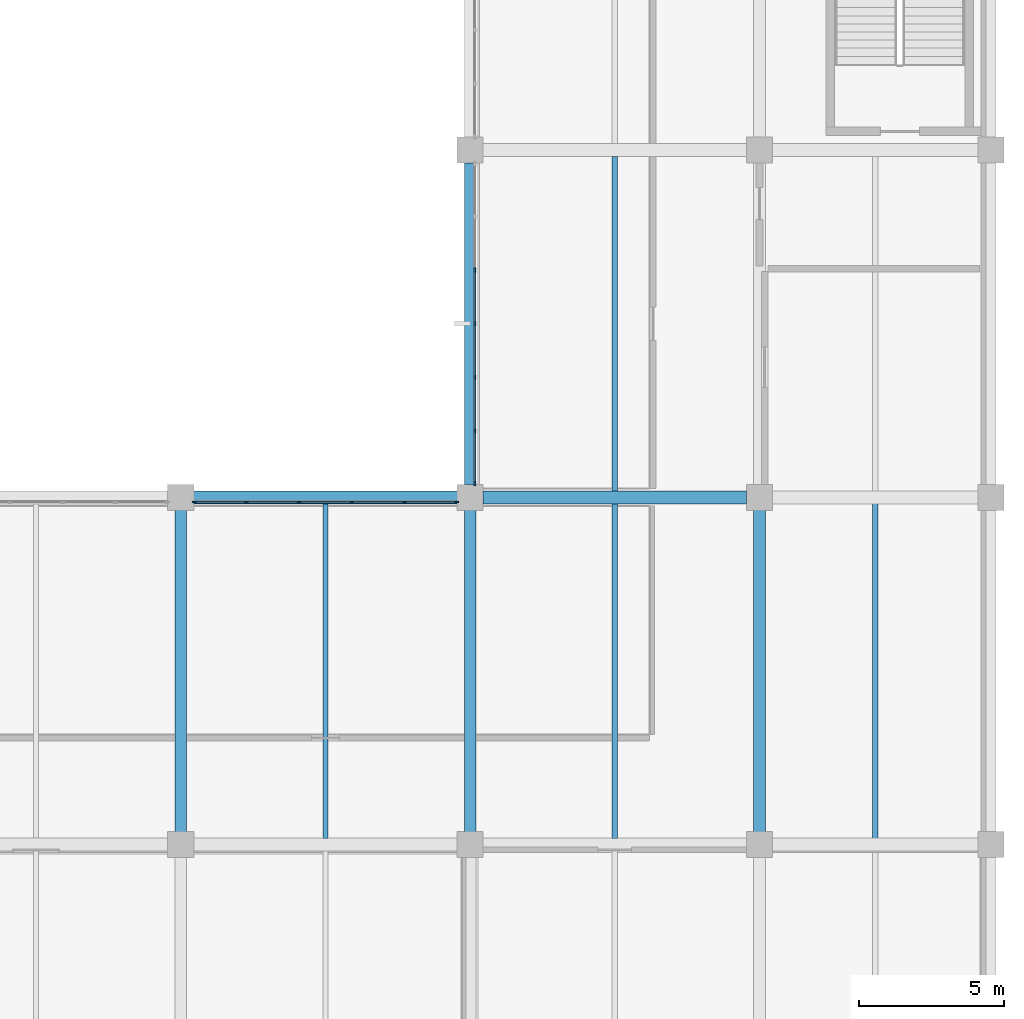
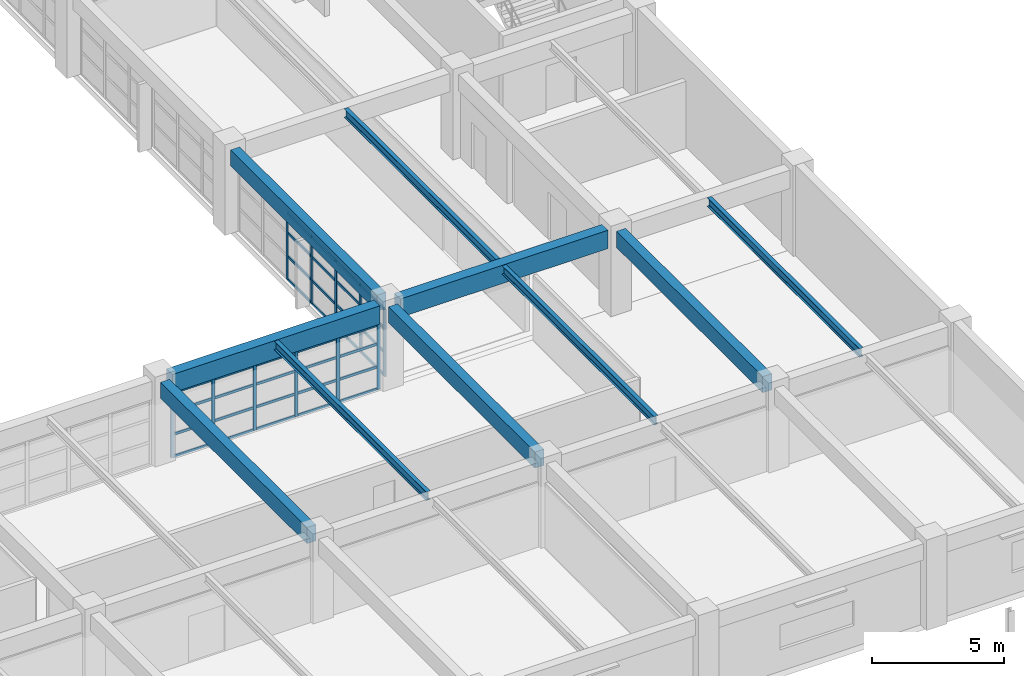
# One storey, part 54 of 100: 47 members, 10 beams, 2 elements without a shape of their own.
"""IFC4 building model written with IfcOpenShell, lengths in metres."""

from ifc_helpers import new_model, si_unit, direction, frame, origin, origin_2d, place, context, subcontext, project, spatial, rectangle, i_section, extrude, material, layer, layer_set, material_profile, profile_set, type_object, element, aggregate, save


model = new_model("IFC4")

# Units and contexts
model_context = context("Model", 3, precision=1e-05, world=origin(), true_north=direction((0.0, 1.0)))
body_context = subcontext(model_context, "Body", "Model", "MODEL_VIEW")
ifc_project = project(units=[si_unit("LENGTHUNIT", "METRE"), si_unit("AREAUNIT", "SQUARE_METRE"), si_unit("VOLUMEUNIT", "CUBIC_METRE"), si_unit("PLANEANGLEUNIT", "RADIAN"), si_unit("MASSUNIT", "GRAM", prefix="KILO")], contexts=[model_context])

# Site, building, storey
site_placement = place(None, origin())
site = spatial("IfcSite", under=ifc_project, at=site_placement, CompositionType="ELEMENT")
building_placement = place(site_placement, origin())
building = spatial("IfcBuilding", under=site, at=building_placement, Name="Kivolera Central Railway Station", CompositionType="ELEMENT")
storey_placement = place(building_placement, frame((0.0, 0.0, 5.39990234375)))
storey = spatial("IfcBuildingStorey", under=building, at=storey_placement, Name="L01", CompositionType="ELEMENT", Elevation=5.39990234375)

# Beams
ifc_material_1 = material(Name="Steel S355", Category="steel")
ifc_material_profile_1 = material_profile(ifc_material_1, i_section(OverallWidth=0.179931640625, OverallDepth=0.39990234375, WebThickness=0.008544921875, FlangeThickness=0.013427734375, FilletRadius=0.02099609375, at=origin_2d()), Name="IPE 400")
ifc_profile_set_1 = profile_set([ifc_material_profile_1], Name="Steel S355")
beam_type_1 = type_object("IfcBeamType", Name="BM-JST-IPE400", PredefinedType="JOIST", material=ifc_profile_set_1)
for number, where, z_axis, x_axis, name in (
    (1, (173.0, 66.217041015625, 3.668212890625), (0.0, 1.0, 0.0), (-1.0, 0.0, 0.0), "L01 Floor Joist 17-18/F-G"),
    (2, (183.0, 66.217041015625, 3.668212890625), (0.0, 1.0, 0.0), (-1.0, 0.0, 0.0), "L01 Floor Joist 18-19/F-G"),
    (3, (183.0, 78.217041015625, 3.668212890625), (0.0, 1.0, 0.0), (-1.0, 0.0, 0.0), "L01 Floor Joist 18-19/G-H"),
    (4, (192.0, 66.217041015625, 3.668212890625), (0.0, 1.0, 0.0), (-1.0, 0.0, 0.0), "L01 Floor Joist 19-20/F-G"),
):
    element("IfcBeam", number, at=place(storey_placement, frame(where, z_axis=z_axis, x_axis=x_axis)), inside=storey, type_object=beam_type_1, Name=name, PredefinedType="JOIST", context=body_context, shape_type="SweptSolid", body=[
        extrude(i_section(OverallWidth=0.179931640625, OverallDepth=0.39990234375, WebThickness=0.008544921875, FlangeThickness=0.013427734375, FilletRadius=0.02099609375, at=origin_2d()), origin(), (0.0, 0.0, 1.0), 11.56591796875),
    ])
ifc_material_2 = material(Name="Concrete C40/50", Category="concrete")
ifc_material_profile_2 = material_profile(ifc_material_2, rectangle(XDim=0.39990234375, YDim=0.75, at=origin_2d()), Name="RC 400x750")
ifc_profile_set_2 = profile_set([ifc_material_profile_2], Name="Concrete C40/50")
beam_type_2 = type_object("IfcBeamType", Name="BM-RC-400x750", PredefinedType="BEAM", material=ifc_profile_set_2)
for number, where, z_axis, x_axis, name in (
    (5, (168.0, 66.44189453125, 3.505126953125), (0.0, 1.0, 0.0), (-1.0, 0.0, 0.0), "L01 Wing Y-Beam 17:F-G"),
    (6, (178.0, 66.44189453125, 3.505126953125), (0.0, 1.0, 0.0), (-1.0, 0.0, 0.0), "L01 Wing Y-Beam 18:F-G"),
    (7, (178.0, 78.44189453125, 3.505126953125), (0.0, 1.0, 0.0), (-1.0, 0.0, 0.0), "L01 Wing Y-Beam 18:G-H"),
    (8, (188.0, 66.44189453125, 3.505126953125), (0.0, 1.0, 0.0), (-1.0, 0.0, 0.0), "L01 Wing Y-Beam 19:F-G"),
):
    element("IfcBeam", number, at=place(storey_placement, frame(where, z_axis=z_axis, x_axis=x_axis)), inside=storey, type_object=beam_type_2, Name=name, PredefinedType="BEAM", context=body_context, shape_type="SweptSolid", body=[
        extrude(rectangle(XDim=0.39990234375, YDim=0.75, at=origin_2d()), origin(), (0.0, 0.0, 1.0), 11.1162109375),
    ])
ifc_material_profile_3 = material_profile(ifc_material_2, rectangle(XDim=0.449951171875, YDim=0.85009765625, at=origin_2d()), Name="RC 450x850")
ifc_profile_set_3 = profile_set([ifc_material_profile_3], Name="Concrete C40/50")
beam_type_3 = type_object("IfcBeamType", Name="BM-RC-450x850", PredefinedType="BEAM", material=ifc_profile_set_3)
for number, where, z_axis, x_axis, name in (
    (9, (168.44189453125, 78.0, 3.455078125), (1.0, 0.0, 0.0), (0.0, 1.0, 0.0), "L01 Wing X-Beam G:17-18"),
    (10, (178.44189453125, 78.0, 3.455078125), (1.0, 0.0, 0.0), (0.0, 1.0, 0.0), "L01 Wing X-Beam G:18-19"),
):
    element("IfcBeam", number, at=place(storey_placement, frame(where, z_axis=z_axis, x_axis=x_axis)), inside=storey, type_object=beam_type_3, Name=name, PredefinedType="BEAM", context=body_context, shape_type="SweptSolid", body=[
        extrude(rectangle(XDim=0.449951171875, YDim=0.85009765625, at=origin_2d()), origin(), (0.0, 0.0, 1.0), 9.1162109375),
    ])

# Curtain wall, members
ifc_material_3 = material(Name="Anodised aluminium", Category="aluminium")
ifc_layer_1 = layer(ifc_material_3, 0.179931640625, Name="Anodised aluminium")
ifc_layer_set_1 = layer_set([ifc_layer_1], Name="Anodised aluminium")
curtain_wall_type_1 = type_object("IfcCurtainWallType", Name="CW-SYS-25", PredefinedType="NOTDEFINED", material=ifc_layer_set_1)
curtain_wall_1_placement = place(storey_placement, origin())
curtain_wall_1 = element("IfcCurtainWall", 11, at=curtain_wall_1_placement, inside=storey, type_object=curtain_wall_type_1, Name="L01 Curtain Wall CW-L01-CRTE-G", PredefinedType="NOTDEFINED")
ifc_material_profile_4 = material_profile(ifc_material_3, rectangle(XDim=0.06005859375, YDim=0.14990234375, at=origin_2d()), Name="ALU MULL 60x150")
ifc_profile_set_4 = profile_set([ifc_material_profile_4], Name="Anodised aluminium")
member_type_1 = type_object("IfcMemberType", Name="CWM-MUL-2", PredefinedType="MULLION", material=ifc_profile_set_4)
member_1_placement = place(storey_placement, frame((178.159912109375, 78.47509765625, -0.0048828125), z_axis=(0.0, 0.0, 1.0), x_axis=(-1.0, 0.0, 0.0)))
member_1 = element("IfcMember", 12, at=member_1_placement, type_object=member_type_1, Name="CW-25 mullion 1", PredefinedType="MULLION", context=body_context, shape_type="SweptSolid", body=[
    extrude(rectangle(XDim=0.06005859375, YDim=0.14990234375, at=origin_2d()), origin(), (0.0, 0.0, 1.0), 3.123046875),
])
member_2_placement = place(storey_placement, frame((178.159912109375, 80.296630859375, -0.0048828125), z_axis=(0.0, 0.0, 1.0), x_axis=(-1.0, 0.0, 0.0)))
member_2 = element("IfcMember", 13, at=member_2_placement, type_object=member_type_1, Name="CW-25 mullion 2", PredefinedType="MULLION", context=body_context, shape_type="SweptSolid", body=[
    extrude(rectangle(XDim=0.06005859375, YDim=0.14990234375, at=origin_2d()), origin(), (0.0, 0.0, 1.0), 3.123046875),
])
member_3_placement = place(storey_placement, frame((178.159912109375, 82.1484375, -0.0048828125), z_axis=(0.0, 0.0, 1.0), x_axis=(-1.0, 0.0, 0.0)))
member_3 = element("IfcMember", 14, at=member_3_placement, type_object=member_type_1, Name="CW-25 mullion 3", PredefinedType="MULLION", context=body_context, shape_type="SweptSolid", body=[
    extrude(rectangle(XDim=0.06005859375, YDim=0.14990234375, at=origin_2d()), origin(), (0.0, 0.0, 1.0), 3.123046875),
])
member_4_placement = place(storey_placement, frame((178.159912109375, 84.0, -0.0048828125), z_axis=(0.0, 0.0, 1.0), x_axis=(-1.0, 0.0, 0.0)))
member_4 = element("IfcMember", 15, at=member_4_placement, type_object=member_type_1, Name="CW-25 mullion 4", PredefinedType="MULLION", context=body_context, shape_type="SweptSolid", body=[
    extrude(rectangle(XDim=0.06005859375, YDim=0.14990234375, at=origin_2d()), origin(), (0.0, 0.0, 1.0), 3.123046875),
])
member_5_placement = place(storey_placement, frame((178.159912109375, 85.8515625, -0.0048828125), z_axis=(0.0, 0.0, 1.0), x_axis=(-1.0, 0.0, 0.0)))
member_5 = element("IfcMember", 16, at=member_5_placement, type_object=member_type_1, Name="CW-25 mullion 5", PredefinedType="MULLION", context=body_context, shape_type="SweptSolid", body=[
    extrude(rectangle(XDim=0.06005859375, YDim=0.14990234375, at=origin_2d()), origin(), (0.0, 0.0, 1.0), 3.123046875),
])

ifc_layer_2 = layer(ifc_material_3, 0.179931640625, Name="Anodised aluminium")
ifc_layer_set_2 = layer_set([ifc_layer_2], Name="Anodised aluminium")
curtain_wall_type_2 = type_object("IfcCurtainWallType", Name="CW-SYS-24", PredefinedType="NOTDEFINED", material=ifc_layer_set_2)
curtain_wall_2_placement = place(storey_placement, origin())
curtain_wall_2 = element("IfcCurtainWall", 17, at=curtain_wall_2_placement, inside=storey, type_object=curtain_wall_type_2, Name="L01 Curtain Wall CW-L01-CRTS-168", PredefinedType="NOTDEFINED")
member_6_placement = place(storey_placement, frame((168.47509765625, 77.840087890625, -0.0048828125), z_axis=(0.0, 0.0, 1.0), x_axis=(0.0, 1.0, 0.0)))
member_6 = element("IfcMember", 18, at=member_6_placement, type_object=member_type_1, Name="CW-24 mullion 1", PredefinedType="MULLION", context=body_context, shape_type="SweptSolid", body=[
    extrude(rectangle(XDim=0.06005859375, YDim=0.14990234375, at=origin_2d()), origin(), (0.0, 0.0, 1.0), 3.02294921875),
])
member_7_placement = place(storey_placement, frame((170.26708984375, 77.840087890625, -0.0048828125), z_axis=(0.0, 0.0, 1.0), x_axis=(0.0, 1.0, 0.0)))
member_7 = element("IfcMember", 19, at=member_7_placement, type_object=member_type_1, Name="CW-24 mullion 2", PredefinedType="MULLION", context=body_context, shape_type="SweptSolid", body=[
    extrude(rectangle(XDim=0.06005859375, YDim=0.14990234375, at=origin_2d()), origin(), (0.0, 0.0, 1.0), 3.02294921875),
])
member_8_placement = place(storey_placement, frame((172.089111328125, 77.840087890625, -0.0048828125), z_axis=(0.0, 0.0, 1.0), x_axis=(0.0, 1.0, 0.0)))
member_8 = element("IfcMember", 20, at=member_8_placement, type_object=member_type_1, Name="CW-24 mullion 3", PredefinedType="MULLION", context=body_context, shape_type="SweptSolid", body=[
    extrude(rectangle(XDim=0.06005859375, YDim=0.14990234375, at=origin_2d()), origin(), (0.0, 0.0, 1.0), 3.02294921875),
])
member_9_placement = place(storey_placement, frame((173.910888671875, 77.840087890625, -0.0048828125), z_axis=(0.0, 0.0, 1.0), x_axis=(0.0, 1.0, 0.0)))
member_9 = element("IfcMember", 21, at=member_9_placement, type_object=member_type_1, Name="CW-24 mullion 4", PredefinedType="MULLION", context=body_context, shape_type="SweptSolid", body=[
    extrude(rectangle(XDim=0.06005859375, YDim=0.14990234375, at=origin_2d()), origin(), (0.0, 0.0, 1.0), 3.02294921875),
])
member_10_placement = place(storey_placement, frame((175.73291015625, 77.840087890625, -0.0048828125), z_axis=(0.0, 0.0, 1.0), x_axis=(0.0, 1.0, 0.0)))
member_10 = element("IfcMember", 22, at=member_10_placement, type_object=member_type_1, Name="CW-24 mullion 5", PredefinedType="MULLION", context=body_context, shape_type="SweptSolid", body=[
    extrude(rectangle(XDim=0.06005859375, YDim=0.14990234375, at=origin_2d()), origin(), (0.0, 0.0, 1.0), 3.02294921875),
])
member_11_placement = place(storey_placement, frame((177.52490234375, 77.840087890625, -0.0048828125), z_axis=(0.0, 0.0, 1.0), x_axis=(0.0, 1.0, 0.0)))
member_11 = element("IfcMember", 23, at=member_11_placement, type_object=member_type_1, Name="CW-24 mullion 6", PredefinedType="MULLION", context=body_context, shape_type="SweptSolid", body=[
    extrude(rectangle(XDim=0.06005859375, YDim=0.14990234375, at=origin_2d()), origin(), (0.0, 0.0, 1.0), 3.02294921875),
])

# Member
ifc_material_profile_5 = material_profile(ifc_material_3, rectangle(XDim=0.06005859375, YDim=0.1201171875, at=origin_2d()), Name="ALU TRAN 60x120")
ifc_profile_set_5 = profile_set([ifc_material_profile_5], Name="Anodised aluminium")
member_type_2 = type_object("IfcMemberType", Name="CWM-TRN-2", PredefinedType="USERDEFINED", material=ifc_profile_set_5)
member_12_placement = place(storey_placement, frame((178.159912109375, 78.5048828125, 0.030029296875), z_axis=(0.0, 1.0, 0.0), x_axis=(-1.0, 0.0, 0.0)))
member_12 = element("IfcMember", 24, at=member_12_placement, type_object=member_type_2, Name="CW-25 transom 1.1", ObjectType="TRANSOM", PredefinedType="USERDEFINED", context=body_context, shape_type="SweptSolid", body=[
    extrude(rectangle(XDim=0.06005859375, YDim=0.1201171875, at=origin_2d()), origin(), (0.0, 0.0, 1.0), 1.76171875),
])

member_13_placement = place(storey_placement, frame((178.159912109375, 78.5048828125, 1.09130859375), z_axis=(0.0, 1.0, 0.0), x_axis=(-1.0, 0.0, 0.0)))
member_13 = element("IfcMember", 25, at=member_13_placement, type_object=member_type_2, Name="CW-25 transom 1.2", ObjectType="TRANSOM", PredefinedType="USERDEFINED", context=body_context, shape_type="SweptSolid", body=[
    extrude(rectangle(XDim=0.06005859375, YDim=0.1201171875, at=origin_2d()), origin(), (0.0, 0.0, 1.0), 1.76171875),
])

member_14_placement = place(storey_placement, frame((178.159912109375, 78.5048828125, 2.1826171875), z_axis=(0.0, 1.0, 0.0), x_axis=(-1.0, 0.0, 0.0)))
member_14 = element("IfcMember", 26, at=member_14_placement, type_object=member_type_2, Name="CW-25 transom 1.3", ObjectType="TRANSOM", PredefinedType="USERDEFINED", context=body_context, shape_type="SweptSolid", body=[
    extrude(rectangle(XDim=0.06005859375, YDim=0.1201171875, at=origin_2d()), origin(), (0.0, 0.0, 1.0), 1.76171875),
])

member_15_placement = place(storey_placement, frame((178.159912109375, 78.5048828125, 3.088134765625), z_axis=(0.0, 1.0, 0.0), x_axis=(-1.0, 0.0, 0.0)))
member_15 = element("IfcMember", 27, at=member_15_placement, type_object=member_type_2, Name="CW-25 transom 1.4", ObjectType="TRANSOM", PredefinedType="USERDEFINED", context=body_context, shape_type="SweptSolid", body=[
    extrude(rectangle(XDim=0.06005859375, YDim=0.1201171875, at=origin_2d()), origin(), (0.0, 0.0, 1.0), 1.76171875),
])

member_16_placement = place(storey_placement, frame((178.159912109375, 80.32666015625, 0.030029296875), z_axis=(0.0, 1.0, 0.0), x_axis=(-1.0, 0.0, 0.0)))
member_16 = element("IfcMember", 28, at=member_16_placement, type_object=member_type_2, Name="CW-25 transom 2.1", ObjectType="TRANSOM", PredefinedType="USERDEFINED", context=body_context, shape_type="SweptSolid", body=[
    extrude(rectangle(XDim=0.06005859375, YDim=0.1201171875, at=origin_2d()), origin(), (0.0, 0.0, 1.0), 1.791748046875),
])

member_17_placement = place(storey_placement, frame((178.159912109375, 80.32666015625, 1.09130859375), z_axis=(0.0, 1.0, 0.0), x_axis=(-1.0, 0.0, 0.0)))
member_17 = element("IfcMember", 29, at=member_17_placement, type_object=member_type_2, Name="CW-25 transom 2.2", ObjectType="TRANSOM", PredefinedType="USERDEFINED", context=body_context, shape_type="SweptSolid", body=[
    extrude(rectangle(XDim=0.06005859375, YDim=0.1201171875, at=origin_2d()), origin(), (0.0, 0.0, 1.0), 1.791748046875),
])

member_18_placement = place(storey_placement, frame((178.159912109375, 80.32666015625, 2.1826171875), z_axis=(0.0, 1.0, 0.0), x_axis=(-1.0, 0.0, 0.0)))
member_18 = element("IfcMember", 30, at=member_18_placement, type_object=member_type_2, Name="CW-25 transom 2.3", ObjectType="TRANSOM", PredefinedType="USERDEFINED", context=body_context, shape_type="SweptSolid", body=[
    extrude(rectangle(XDim=0.06005859375, YDim=0.1201171875, at=origin_2d()), origin(), (0.0, 0.0, 1.0), 1.791748046875),
])

member_19_placement = place(storey_placement, frame((178.159912109375, 80.32666015625, 3.088134765625), z_axis=(0.0, 1.0, 0.0), x_axis=(-1.0, 0.0, 0.0)))
member_19 = element("IfcMember", 31, at=member_19_placement, type_object=member_type_2, Name="CW-25 transom 2.4", ObjectType="TRANSOM", PredefinedType="USERDEFINED", context=body_context, shape_type="SweptSolid", body=[
    extrude(rectangle(XDim=0.06005859375, YDim=0.1201171875, at=origin_2d()), origin(), (0.0, 0.0, 1.0), 1.791748046875),
])

member_20_placement = place(storey_placement, frame((178.159912109375, 82.17822265625, 0.030029296875), z_axis=(0.0, 1.0, 0.0), x_axis=(-1.0, 0.0, 0.0)))
member_20 = element("IfcMember", 32, at=member_20_placement, type_object=member_type_2, Name="CW-25 transom 3.1", ObjectType="TRANSOM", PredefinedType="USERDEFINED", context=body_context, shape_type="SweptSolid", body=[
    extrude(rectangle(XDim=0.06005859375, YDim=0.1201171875, at=origin_2d()), origin(), (0.0, 0.0, 1.0), 1.791748046875),
])

member_21_placement = place(storey_placement, frame((178.159912109375, 82.17822265625, 1.09130859375), z_axis=(0.0, 1.0, 0.0), x_axis=(-1.0, 0.0, 0.0)))
member_21 = element("IfcMember", 33, at=member_21_placement, type_object=member_type_2, Name="CW-25 transom 3.2", ObjectType="TRANSOM", PredefinedType="USERDEFINED", context=body_context, shape_type="SweptSolid", body=[
    extrude(rectangle(XDim=0.06005859375, YDim=0.1201171875, at=origin_2d()), origin(), (0.0, 0.0, 1.0), 1.791748046875),
])

member_22_placement = place(storey_placement, frame((178.159912109375, 82.17822265625, 2.1826171875), z_axis=(0.0, 1.0, 0.0), x_axis=(-1.0, 0.0, 0.0)))
member_22 = element("IfcMember", 34, at=member_22_placement, type_object=member_type_2, Name="CW-25 transom 3.3", ObjectType="TRANSOM", PredefinedType="USERDEFINED", context=body_context, shape_type="SweptSolid", body=[
    extrude(rectangle(XDim=0.06005859375, YDim=0.1201171875, at=origin_2d()), origin(), (0.0, 0.0, 1.0), 1.791748046875),
])

member_23_placement = place(storey_placement, frame((178.159912109375, 82.17822265625, 3.088134765625), z_axis=(0.0, 1.0, 0.0), x_axis=(-1.0, 0.0, 0.0)))
member_23 = element("IfcMember", 35, at=member_23_placement, type_object=member_type_2, Name="CW-25 transom 3.4", ObjectType="TRANSOM", PredefinedType="USERDEFINED", context=body_context, shape_type="SweptSolid", body=[
    extrude(rectangle(XDim=0.06005859375, YDim=0.1201171875, at=origin_2d()), origin(), (0.0, 0.0, 1.0), 1.791748046875),
])

member_24_placement = place(storey_placement, frame((178.159912109375, 84.030029296875, 0.030029296875), z_axis=(0.0, 1.0, 0.0), x_axis=(-1.0, 0.0, 0.0)))
member_24 = element("IfcMember", 36, at=member_24_placement, type_object=member_type_2, Name="CW-25 transom 4.1", ObjectType="TRANSOM", PredefinedType="USERDEFINED", context=body_context, shape_type="SweptSolid", body=[
    extrude(rectangle(XDim=0.06005859375, YDim=0.1201171875, at=origin_2d()), origin(), (0.0, 0.0, 1.0), 1.791748046875),
])

member_25_placement = place(storey_placement, frame((178.159912109375, 84.030029296875, 1.09130859375), z_axis=(0.0, 1.0, 0.0), x_axis=(-1.0, 0.0, 0.0)))
member_25 = element("IfcMember", 37, at=member_25_placement, type_object=member_type_2, Name="CW-25 transom 4.2", ObjectType="TRANSOM", PredefinedType="USERDEFINED", context=body_context, shape_type="SweptSolid", body=[
    extrude(rectangle(XDim=0.06005859375, YDim=0.1201171875, at=origin_2d()), origin(), (0.0, 0.0, 1.0), 1.791748046875),
])

member_26_placement = place(storey_placement, frame((178.159912109375, 84.030029296875, 2.1826171875), z_axis=(0.0, 1.0, 0.0), x_axis=(-1.0, 0.0, 0.0)))
member_26 = element("IfcMember", 38, at=member_26_placement, type_object=member_type_2, Name="CW-25 transom 4.3", ObjectType="TRANSOM", PredefinedType="USERDEFINED", context=body_context, shape_type="SweptSolid", body=[
    extrude(rectangle(XDim=0.06005859375, YDim=0.1201171875, at=origin_2d()), origin(), (0.0, 0.0, 1.0), 1.791748046875),
])

member_27_placement = place(storey_placement, frame((178.159912109375, 84.030029296875, 3.088134765625), z_axis=(0.0, 1.0, 0.0), x_axis=(-1.0, 0.0, 0.0)))
member_27 = element("IfcMember", 39, at=member_27_placement, type_object=member_type_2, Name="CW-25 transom 4.4", ObjectType="TRANSOM", PredefinedType="USERDEFINED", context=body_context, shape_type="SweptSolid", body=[
    extrude(rectangle(XDim=0.06005859375, YDim=0.1201171875, at=origin_2d()), origin(), (0.0, 0.0, 1.0), 1.791748046875),
])

aggregate(curtain_wall_1, [member_1, member_2, member_3, member_4, member_5, member_12, member_13, member_14, member_15, member_16, member_17, member_18, member_19, member_20, member_21, member_22, member_23, member_24, member_25, member_26, member_27])

member_28_placement = place(storey_placement, frame((168.5048828125, 77.840087890625, 0.030029296875), z_axis=(1.0, 0.0, 0.0), x_axis=(0.0, 1.0, 0.0)))
member_28 = element("IfcMember", 40, at=member_28_placement, type_object=member_type_2, Name="CW-24 transom 1.1", ObjectType="TRANSOM", PredefinedType="USERDEFINED", context=body_context, shape_type="SweptSolid", body=[
    extrude(rectangle(XDim=0.06005859375, YDim=0.1201171875, at=origin_2d()), origin(), (0.0, 0.0, 1.0), 1.732177734375),
])

member_29_placement = place(storey_placement, frame((168.5048828125, 77.840087890625, 1.056396484375), z_axis=(1.0, 0.0, 0.0), x_axis=(0.0, 1.0, 0.0)))
member_29 = element("IfcMember", 41, at=member_29_placement, type_object=member_type_2, Name="CW-24 transom 1.2", ObjectType="TRANSOM", PredefinedType="USERDEFINED", context=body_context, shape_type="SweptSolid", body=[
    extrude(rectangle(XDim=0.06005859375, YDim=0.1201171875, at=origin_2d()), origin(), (0.0, 0.0, 1.0), 1.732177734375),
])

member_30_placement = place(storey_placement, frame((168.5048828125, 77.840087890625, 2.11279296875), z_axis=(1.0, 0.0, 0.0), x_axis=(0.0, 1.0, 0.0)))
member_30 = element("IfcMember", 42, at=member_30_placement, type_object=member_type_2, Name="CW-24 transom 1.3", ObjectType="TRANSOM", PredefinedType="USERDEFINED", context=body_context, shape_type="SweptSolid", body=[
    extrude(rectangle(XDim=0.06005859375, YDim=0.1201171875, at=origin_2d()), origin(), (0.0, 0.0, 1.0), 1.732177734375),
])

member_31_placement = place(storey_placement, frame((168.5048828125, 77.840087890625, 2.988037109375), z_axis=(1.0, 0.0, 0.0), x_axis=(0.0, 1.0, 0.0)))
member_31 = element("IfcMember", 43, at=member_31_placement, type_object=member_type_2, Name="CW-24 transom 1.4", ObjectType="TRANSOM", PredefinedType="USERDEFINED", context=body_context, shape_type="SweptSolid", body=[
    extrude(rectangle(XDim=0.06005859375, YDim=0.1201171875, at=origin_2d()), origin(), (0.0, 0.0, 1.0), 1.732177734375),
])

member_32_placement = place(storey_placement, frame((170.297119140625, 77.840087890625, 0.030029296875), z_axis=(1.0, 0.0, 0.0), x_axis=(0.0, 1.0, 0.0)))
member_32 = element("IfcMember", 44, at=member_32_placement, type_object=member_type_2, Name="CW-24 transom 2.1", ObjectType="TRANSOM", PredefinedType="USERDEFINED", context=body_context, shape_type="SweptSolid", body=[
    extrude(rectangle(XDim=0.06005859375, YDim=0.1201171875, at=origin_2d()), origin(), (0.0, 0.0, 1.0), 1.761962890625),
])

member_33_placement = place(storey_placement, frame((170.297119140625, 77.840087890625, 1.056396484375), z_axis=(1.0, 0.0, 0.0), x_axis=(0.0, 1.0, 0.0)))
member_33 = element("IfcMember", 45, at=member_33_placement, type_object=member_type_2, Name="CW-24 transom 2.2", ObjectType="TRANSOM", PredefinedType="USERDEFINED", context=body_context, shape_type="SweptSolid", body=[
    extrude(rectangle(XDim=0.06005859375, YDim=0.1201171875, at=origin_2d()), origin(), (0.0, 0.0, 1.0), 1.761962890625),
])

member_34_placement = place(storey_placement, frame((170.297119140625, 77.840087890625, 2.11279296875), z_axis=(1.0, 0.0, 0.0), x_axis=(0.0, 1.0, 0.0)))
member_34 = element("IfcMember", 46, at=member_34_placement, type_object=member_type_2, Name="CW-24 transom 2.3", ObjectType="TRANSOM", PredefinedType="USERDEFINED", context=body_context, shape_type="SweptSolid", body=[
    extrude(rectangle(XDim=0.06005859375, YDim=0.1201171875, at=origin_2d()), origin(), (0.0, 0.0, 1.0), 1.761962890625),
])

member_35_placement = place(storey_placement, frame((170.297119140625, 77.840087890625, 2.988037109375), z_axis=(1.0, 0.0, 0.0), x_axis=(0.0, 1.0, 0.0)))
member_35 = element("IfcMember", 47, at=member_35_placement, type_object=member_type_2, Name="CW-24 transom 2.4", ObjectType="TRANSOM", PredefinedType="USERDEFINED", context=body_context, shape_type="SweptSolid", body=[
    extrude(rectangle(XDim=0.06005859375, YDim=0.1201171875, at=origin_2d()), origin(), (0.0, 0.0, 1.0), 1.761962890625),
])

member_36_placement = place(storey_placement, frame((172.118896484375, 77.840087890625, 0.030029296875), z_axis=(1.0, 0.0, 0.0), x_axis=(0.0, 1.0, 0.0)))
member_36 = element("IfcMember", 48, at=member_36_placement, type_object=member_type_2, Name="CW-24 transom 3.1", ObjectType="TRANSOM", PredefinedType="USERDEFINED", context=body_context, shape_type="SweptSolid", body=[
    extrude(rectangle(XDim=0.06005859375, YDim=0.1201171875, at=origin_2d()), origin(), (0.0, 0.0, 1.0), 1.76220703125),
])

member_37_placement = place(storey_placement, frame((172.118896484375, 77.840087890625, 1.056396484375), z_axis=(1.0, 0.0, 0.0), x_axis=(0.0, 1.0, 0.0)))
member_37 = element("IfcMember", 49, at=member_37_placement, type_object=member_type_2, Name="CW-24 transom 3.2", ObjectType="TRANSOM", PredefinedType="USERDEFINED", context=body_context, shape_type="SweptSolid", body=[
    extrude(rectangle(XDim=0.06005859375, YDim=0.1201171875, at=origin_2d()), origin(), (0.0, 0.0, 1.0), 1.76220703125),
])

member_38_placement = place(storey_placement, frame((172.118896484375, 77.840087890625, 2.11279296875), z_axis=(1.0, 0.0, 0.0), x_axis=(0.0, 1.0, 0.0)))
member_38 = element("IfcMember", 50, at=member_38_placement, type_object=member_type_2, Name="CW-24 transom 3.3", ObjectType="TRANSOM", PredefinedType="USERDEFINED", context=body_context, shape_type="SweptSolid", body=[
    extrude(rectangle(XDim=0.06005859375, YDim=0.1201171875, at=origin_2d()), origin(), (0.0, 0.0, 1.0), 1.76220703125),
])

member_39_placement = place(storey_placement, frame((172.118896484375, 77.840087890625, 2.988037109375), z_axis=(1.0, 0.0, 0.0), x_axis=(0.0, 1.0, 0.0)))
member_39 = element("IfcMember", 51, at=member_39_placement, type_object=member_type_2, Name="CW-24 transom 3.4", ObjectType="TRANSOM", PredefinedType="USERDEFINED", context=body_context, shape_type="SweptSolid", body=[
    extrude(rectangle(XDim=0.06005859375, YDim=0.1201171875, at=origin_2d()), origin(), (0.0, 0.0, 1.0), 1.76220703125),
])

member_40_placement = place(storey_placement, frame((173.94091796875, 77.840087890625, 0.030029296875), z_axis=(1.0, 0.0, 0.0), x_axis=(0.0, 1.0, 0.0)))
member_40 = element("IfcMember", 52, at=member_40_placement, type_object=member_type_2, Name="CW-24 transom 4.1", ObjectType="TRANSOM", PredefinedType="USERDEFINED", context=body_context, shape_type="SweptSolid", body=[
    extrude(rectangle(XDim=0.06005859375, YDim=0.1201171875, at=origin_2d()), origin(), (0.0, 0.0, 1.0), 1.761962890625),
])

member_41_placement = place(storey_placement, frame((173.94091796875, 77.840087890625, 1.056396484375), z_axis=(1.0, 0.0, 0.0), x_axis=(0.0, 1.0, 0.0)))
member_41 = element("IfcMember", 53, at=member_41_placement, type_object=member_type_2, Name="CW-24 transom 4.2", ObjectType="TRANSOM", PredefinedType="USERDEFINED", context=body_context, shape_type="SweptSolid", body=[
    extrude(rectangle(XDim=0.06005859375, YDim=0.1201171875, at=origin_2d()), origin(), (0.0, 0.0, 1.0), 1.761962890625),
])

member_42_placement = place(storey_placement, frame((173.94091796875, 77.840087890625, 2.11279296875), z_axis=(1.0, 0.0, 0.0), x_axis=(0.0, 1.0, 0.0)))
member_42 = element("IfcMember", 54, at=member_42_placement, type_object=member_type_2, Name="CW-24 transom 4.3", ObjectType="TRANSOM", PredefinedType="USERDEFINED", context=body_context, shape_type="SweptSolid", body=[
    extrude(rectangle(XDim=0.06005859375, YDim=0.1201171875, at=origin_2d()), origin(), (0.0, 0.0, 1.0), 1.761962890625),
])

member_43_placement = place(storey_placement, frame((173.94091796875, 77.840087890625, 2.988037109375), z_axis=(1.0, 0.0, 0.0), x_axis=(0.0, 1.0, 0.0)))
member_43 = element("IfcMember", 55, at=member_43_placement, type_object=member_type_2, Name="CW-24 transom 4.4", ObjectType="TRANSOM", PredefinedType="USERDEFINED", context=body_context, shape_type="SweptSolid", body=[
    extrude(rectangle(XDim=0.06005859375, YDim=0.1201171875, at=origin_2d()), origin(), (0.0, 0.0, 1.0), 1.761962890625),
])

member_44_placement = place(storey_placement, frame((175.762939453125, 77.840087890625, 0.030029296875), z_axis=(1.0, 0.0, 0.0), x_axis=(0.0, 1.0, 0.0)))
member_44 = element("IfcMember", 56, at=member_44_placement, type_object=member_type_2, Name="CW-24 transom 5.1", ObjectType="TRANSOM", PredefinedType="USERDEFINED", context=body_context, shape_type="SweptSolid", body=[
    extrude(rectangle(XDim=0.06005859375, YDim=0.1201171875, at=origin_2d()), origin(), (0.0, 0.0, 1.0), 1.732177734375),
])

member_45_placement = place(storey_placement, frame((175.762939453125, 77.840087890625, 1.056396484375), z_axis=(1.0, 0.0, 0.0), x_axis=(0.0, 1.0, 0.0)))
member_45 = element("IfcMember", 57, at=member_45_placement, type_object=member_type_2, Name="CW-24 transom 5.2", ObjectType="TRANSOM", PredefinedType="USERDEFINED", context=body_context, shape_type="SweptSolid", body=[
    extrude(rectangle(XDim=0.06005859375, YDim=0.1201171875, at=origin_2d()), origin(), (0.0, 0.0, 1.0), 1.732177734375),
])

member_46_placement = place(storey_placement, frame((175.762939453125, 77.840087890625, 2.11279296875), z_axis=(1.0, 0.0, 0.0), x_axis=(0.0, 1.0, 0.0)))
member_46 = element("IfcMember", 58, at=member_46_placement, type_object=member_type_2, Name="CW-24 transom 5.3", ObjectType="TRANSOM", PredefinedType="USERDEFINED", context=body_context, shape_type="SweptSolid", body=[
    extrude(rectangle(XDim=0.06005859375, YDim=0.1201171875, at=origin_2d()), origin(), (0.0, 0.0, 1.0), 1.732177734375),
])

member_47_placement = place(storey_placement, frame((175.762939453125, 77.840087890625, 2.988037109375), z_axis=(1.0, 0.0, 0.0), x_axis=(0.0, 1.0, 0.0)))
member_47 = element("IfcMember", 59, at=member_47_placement, type_object=member_type_2, Name="CW-24 transom 5.4", ObjectType="TRANSOM", PredefinedType="USERDEFINED", context=body_context, shape_type="SweptSolid", body=[
    extrude(rectangle(XDim=0.06005859375, YDim=0.1201171875, at=origin_2d()), origin(), (0.0, 0.0, 1.0), 1.732177734375),
])

aggregate(curtain_wall_2, [member_6, member_7, member_8, member_9, member_10, member_11, member_28, member_29, member_30, member_31, member_32, member_33, member_34, member_35, member_36, member_37, member_38, member_39, member_40, member_41, member_42, member_43, member_44, member_45, member_46, member_47])

save(model, "model.ifc")
